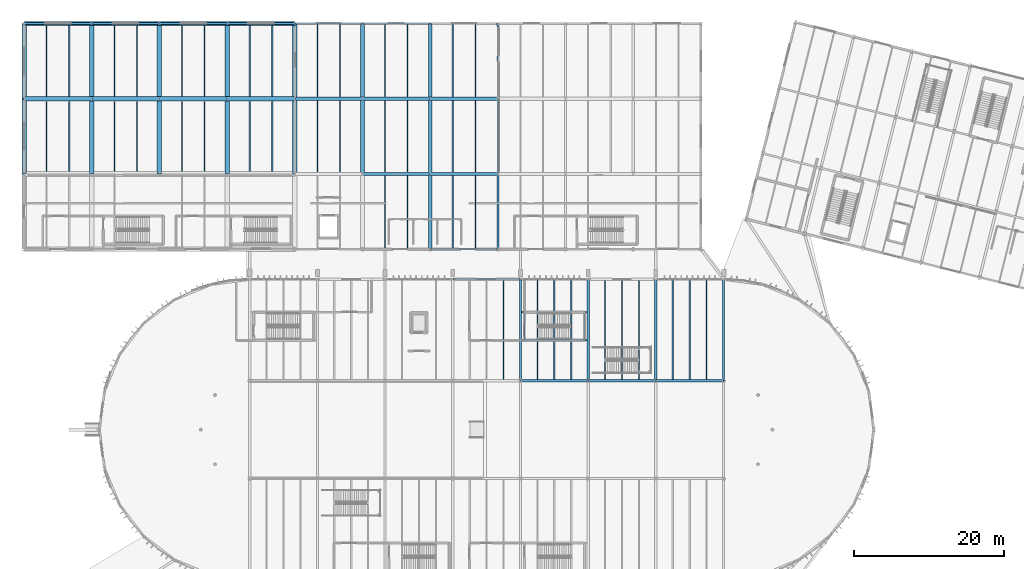
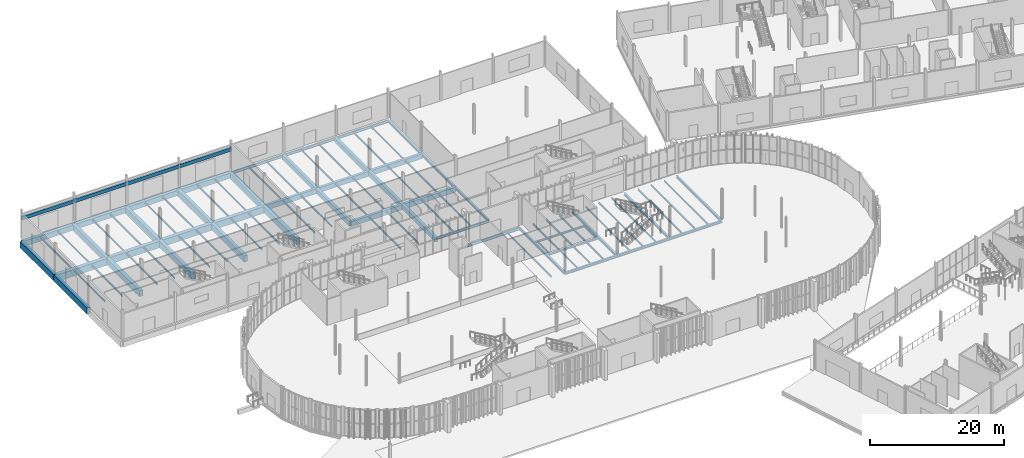
# One storey, part 65 of 158: 93 beams.
"""IFC4 building model written with IfcOpenShell, lengths in metres."""

import ifcopenshell
import ifcopenshell.guid

model = None  # the IFC model being written
_history = None  # IfcOwnerHistory: only IFC2X3 demands one
_inside = {}  # id of a spatial element -> (the spatial element, [elements in it])
_under = {}  # id of a project, library or spatial element -> (it, [spatial elements below it])
_declared = {}  # id of a project -> (the project, [libraries it declares])
_typed = {}  # id of a type object -> (the type object, [elements of that type])
_made_of = {}  # id of a material, layer set ... -> (it, [elements and type objects made of it])


def new_model(schema):
    """Start an empty IFC model of exactly this schema.

    Asked for "IFC4X3", IfcOpenShell would pick the latest addendum, in which some entities
    have other attributes; the version numbers below select the first issue.
    IFC2X3 requires an IfcOwnerHistory on every rooted entity: one is made here for all.
    """
    global model, _history
    if schema == "IFC4X3":
        model = ifcopenshell.file(schema_version=(4, 3, 0, 0))
    else:
        model = ifcopenshell.file(schema=schema)
    _inside.clear()
    _under.clear()
    _declared.clear()
    _typed.clear()
    _made_of.clear()
    _history = None
    if model.schema == "IFC2X3":
        org = make("IfcOrganization", Name="unknown")
        user = make(
            "IfcPersonAndOrganization",
            ThePerson=make("IfcPerson", FamilyName="unknown"),
            TheOrganization=org,
        )
        app = make(
            "IfcApplication",
            ApplicationDeveloper=org,
            Version="unknown",
            ApplicationFullName="unknown",
            ApplicationIdentifier="unknown",
        )
        _history = make(
            "IfcOwnerHistory",
            OwningUser=user,
            OwningApplication=app,
            ChangeAction="ADDED",
            CreationDate=0,
        )
    return model


def make(cls, **values):
    """One entity of the class cls with the attributes given. An attribute that is None is left unset."""
    return model.create_entity(
        cls, **{name: value for name, value in values.items() if value is not None}
    )


def rooted(cls, **values):
    """An entity with a GlobalId (a new one), such as an element, a storey or a relation."""
    return make(cls, GlobalId=ifcopenshell.guid.new(), OwnerHistory=_history, **values)


def si_unit(unit_type, name, prefix=None):
    """IfcSIUnit, for example si_unit("LENGTHUNIT", "METRE", prefix="MILLI")."""
    return make("IfcSIUnit", UnitType=unit_type, Prefix=prefix, Name=name)


def derived_unit(unit_type, elements):
    """IfcDerivedUnit: a product of units, each with its exponent."""
    return make(
        "IfcDerivedUnit",
        Elements=[
            make("IfcDerivedUnitElement", Unit=unit, Exponent=power)
            for unit, power in elements
        ],
        UnitType=unit_type,
    )


def assignment(units):
    """IfcUnitAssignment: the units of a project."""
    return None if units is None else make("IfcUnitAssignment", Units=units)


def point(xyz):
    """IfcCartesianPoint."""
    return None if xyz is None else make("IfcCartesianPoint", Coordinates=xyz)


def direction(xyz):
    """IfcDirection."""
    return None if xyz is None else make("IfcDirection", DirectionRatios=xyz)


def frame(location, z_axis=None, x_axis=None):
    """IfcAxis2Placement3D, a coordinate frame: its origin and axes. An axis left out is left unset."""
    return make(
        "IfcAxis2Placement3D",
        Location=point(location),
        Axis=direction(z_axis),
        RefDirection=direction(x_axis),
    )


def frame_2d(location, x_axis=None):
    """IfcAxis2Placement2D, a coordinate frame in the plane: its origin and x axis."""
    return make(
        "IfcAxis2Placement2D", Location=point(location), RefDirection=direction(x_axis)
    )


def origin():
    """The frame at (0, 0, 0) with its axes left unset."""
    return frame((0.0, 0.0, 0.0))


def origin_2d():
    """The frame at (0, 0) in the plane with its x axis left unset."""
    return frame_2d((0.0, 0.0))


def place(relative_to, where):
    """IfcLocalPlacement: puts the frame where relative to a parent placement (None: the world)."""
    return make(
        "IfcLocalPlacement", PlacementRelTo=relative_to, RelativePlacement=where
    )


def context(
    kind, dimensions, precision=None, world=None, true_north=None, identifier=None
):
    """IfcGeometricRepresentationContext, for example the 3D "Model" context."""
    return make(
        "IfcGeometricRepresentationContext",
        ContextIdentifier=identifier,
        ContextType=kind,
        CoordinateSpaceDimension=dimensions,
        Precision=precision,
        WorldCoordinateSystem=world,
        TrueNorth=true_north,
    )


def subcontext(parent, identifier, kind, view, scale=None):
    """IfcGeometricRepresentationSubContext, for example "Body" below "Model"."""
    return make(
        "IfcGeometricRepresentationSubContext",
        ContextIdentifier=identifier,
        ContextType=kind,
        ParentContext=parent,
        TargetScale=scale,
        TargetView=view,
    )


def project(units=None, contexts=None):
    """IfcProject with its units and contexts."""
    return rooted(
        "IfcProject",
        Name="project",
        RepresentationContexts=contexts,
        UnitsInContext=assignment(units),
    )


def spatial(cls, under=None, at=None, **own):
    """A site, building, storey or space (cls), placed at a placement, below another one or the project."""
    s = rooted(cls, ObjectPlacement=at, **own)
    if under is not None:
        _under.setdefault(under.id(), (under, []))[1].append(s)
    return s


def profile(cls, at=None, kind="AREA", **sizes):
    """A parametric profile (cls). Its sizes go by their IFC names, for example OverallWidth=200.0."""
    return make(cls, ProfileType=kind, Position=at, **sizes)


def rectangle(**sizes):
    """IfcRectangleProfileDef."""
    return profile("IfcRectangleProfileDef", **sizes)


def i_section(**sizes):
    """IfcIShapeProfileDef."""
    return profile("IfcIShapeProfileDef", **sizes)


def extrude(swept, where, along, depth):
    """IfcExtrudedAreaSolid: the profile swept, set in the frame where, extruded along a direction by depth."""
    return make(
        "IfcExtrudedAreaSolid",
        SweptArea=swept,
        Position=where,
        ExtrudedDirection=direction(along),
        Depth=depth,
    )


def shape(context_of_items, identifier, shape_type, items):
    """IfcShapeRepresentation: the items that make up one representation, for example the "Body"."""
    return make(
        "IfcShapeRepresentation",
        ContextOfItems=context_of_items,
        RepresentationIdentifier=identifier,
        RepresentationType=shape_type,
        Items=items,
    )


def material(Name=None, Category=None):
    """IfcMaterial."""
    return make("IfcMaterial", Name=Name, Category=Category)


def material_profile(
    of_material, cross_section, Name=None, Category=None, Priority=None
):
    """IfcMaterialProfile: a cross section and its material."""
    return make(
        "IfcMaterialProfile",
        Name=Name,
        Material=of_material,
        Profile=cross_section,
        Priority=Priority,
        Category=Category,
    )


def profile_set(profiles, Name=None, composite=None):
    """IfcMaterialProfileSet."""
    return make(
        "IfcMaterialProfileSet",
        Name=Name,
        MaterialProfiles=profiles,
        CompositeProfile=composite,
    )


def made_of(thing, what):
    """Note that an element or type object is made of a material, layer set ...; save() writes the relation."""
    if what is not None:
        _made_of.setdefault(what.id(), (what, []))[1].append(thing)
    return thing


def type_object(cls, material=None, **own):
    """A type object (cls), such as IfcWallType, which elements share."""
    return made_of(rooted(cls, **own), material)


def element(
    cls,
    number,
    at=None,
    inside=None,
    cuts=None,
    type_object=None,
    material=None,
    context=None,
    identifier="Body",
    shape_type=None,
    held_by="IfcProductDefinitionShape",
    body=None,
    shapes=None,
    **own,
):
    """One element of the class cls, such as IfcWall. Its Tag is "e" and its number.

    at: its placement. inside: the storey or other place that contains it. cuts: it is an
    opening in that element (IfcRelVoidsElement). A single representation is given by context,
    identifier, shape_type and body (its items); several are given by shapes. held_by: the class
    of the entity that holds the representations. save() writes the other relations.
    """
    e = rooted(cls, Tag="e%d" % number, ObjectPlacement=at, **own)
    if body is not None:
        shapes = [shape(context, identifier, shape_type, body)]
    if shapes is not None:
        e.Representation = make(held_by, Representations=shapes)
    if inside is not None:
        _inside.setdefault(inside.id(), (inside, []))[1].append(e)
    if cuts is not None:
        rooted(
            "IfcRelVoidsElement", RelatingBuildingElement=cuts, RelatedOpeningElement=e
        )
    if type_object is not None:
        _typed.setdefault(type_object.id(), (type_object, []))[1].append(e)
    return made_of(e, material)


def aggregate(whole, parts):
    """IfcRelAggregates: a whole, such as a stair, and the parts it consists of."""
    return rooted("IfcRelAggregates", RelatingObject=whole, RelatedObjects=parts)


def save(model, path):
    """Write the relations noted so far, then the file.

    IfcRelAggregates (storeys below a building ...), IfcRelContainedInSpatialStructure (elements
    in a storey), IfcRelDefinesByType, IfcRelAssociatesMaterial and IfcRelDeclares: one each for
    every whole, place, type object, material and project.
    """
    for whole, parts in _under.values():
        aggregate(whole, parts)
    for where, things in _inside.values():
        rooted(
            "IfcRelContainedInSpatialStructure",
            RelatedElements=things,
            RelatingStructure=where,
        )
    for kind, things in _typed.values():
        rooted("IfcRelDefinesByType", RelatedObjects=things, RelatingType=kind)
    for what, things in _made_of.values():
        rooted("IfcRelAssociatesMaterial", RelatedObjects=things, RelatingMaterial=what)
    for by, libraries in _declared.values():
        rooted("IfcRelDeclares", RelatingContext=by, RelatedDefinitions=libraries)
    model.write(path)


model = new_model("IFC4")

# Units and contexts
model_context = context("Model", 3, precision=1e-05, world=origin(), true_north=direction((0.0, 1.0)))
body_context = subcontext(model_context, "Body", "Model", "MODEL_VIEW")
ifc_project = project(units=[si_unit("LENGTHUNIT", "METRE"), si_unit("AREAUNIT", "SQUARE_METRE"), si_unit("VOLUMEUNIT", "CUBIC_METRE"), si_unit("PLANEANGLEUNIT", "RADIAN"), si_unit("MASSUNIT", "GRAM", prefix="KILO"), si_unit("THERMODYNAMICTEMPERATUREUNIT", "KELVIN"), si_unit("TIMEUNIT", "SECOND"), derived_unit("THERMALTRANSMITTANCEUNIT", [(si_unit("MASSUNIT", "GRAM", prefix="KILO"), 1), (si_unit("THERMODYNAMICTEMPERATUREUNIT", "KELVIN"), -1), (si_unit("TIMEUNIT", "SECOND"), -3)])], contexts=[model_context])

# Site, building, storey
site_placement = place(None, origin())
site = spatial("IfcSite", under=ifc_project, at=site_placement, CompositionType="ELEMENT")
building_placement = place(site_placement, origin())
building = spatial("IfcBuilding", under=site, at=building_placement, Name="Cambertide Market Hall", CompositionType="ELEMENT")
storey_placement = place(building_placement, origin())
storey = spatial("IfcBuildingStorey", under=building, at=storey_placement, Name="L01", CompositionType="ELEMENT", Elevation=0.0)

# Beams
ifc_material_1 = material(Name="Concrete B35", Category="concrete")
ifc_material_profile_1 = material_profile(ifc_material_1, rectangle(XDim=0.449951171875, YDim=0.89990234375, at=origin_2d()), Name="RC 450x900")
ifc_profile_set_1 = profile_set([ifc_material_profile_1], Name="Concrete B35")
beam_type_1 = type_object("IfcBeamType", Name="Concrete Girder RC 450x900", PredefinedType="BEAM", material=ifc_profile_set_1)
for number, where, z_axis, x_axis, name in (
    (1, (48.0, 116.0, -0.81005859375), (1.0, 0.0, 0.0), (0.0, 1.0, 0.0), "Level 1 Beam BM-V2X-L01-5-3"),
    (2, (57.0, 106.0, -0.81005859375), (1.0, 0.0, 0.0), (0.0, 1.0, 0.0), "Level 1 Beam BM-V2X-L01-6-2"),
    (3, (57.0, 116.0, -0.81005859375), (1.0, 0.0, 0.0), (0.0, 1.0, 0.0), "Level 1 Beam BM-V2X-L01-6-3"),
    (4, (66.0, 106.0, -0.81005859375), (1.0, 0.0, 0.0), (0.0, 1.0, 0.0), "Level 1 Beam BM-V2X-L01-7-2"),
    (5, (66.0, 116.0, -0.81005859375), (1.0, 0.0, 0.0), (0.0, 1.0, 0.0), "Level 1 Beam BM-V2X-L01-7-3"),
):
    element("IfcBeam", number, at=place(storey_placement, frame(where, z_axis=z_axis, x_axis=x_axis)), inside=storey, type_object=beam_type_1, Name=name, PredefinedType="BEAM", context=body_context, shape_type="SweptSolid", body=[
        extrude(rectangle(XDim=0.449951171875, YDim=0.89990234375, at=origin_2d()), origin(), (0.0, 0.0, 1.0), 9.0),
    ])
ifc_material_2 = material(Name="Concrete B35", Category="concrete")
ifc_material_profile_2 = material_profile(ifc_material_2, rectangle(XDim=0.5, YDim=0.85009765625, at=origin_2d()), Name="RC 500x850")
ifc_profile_set_2 = profile_set([ifc_material_profile_2], Name="Concrete B35")
beam_type_2 = type_object("IfcBeamType", Name="Concrete Girder RC 500x850", PredefinedType="BEAM", material=ifc_profile_set_2)
for number, where, z_axis, x_axis, name in (
    (6, (57.0, 106.0, -0.784912109375), (0.0, 1.0, 0.0), (-1.0, 0.0, 0.0), "Level 1 Beam BM-V2Y-L01-6-2"),
    (7, (57.0, 116.0, -0.784912109375), (0.0, 1.0, 0.0), (-1.0, 0.0, 0.0), "Level 1 Beam BM-V2Y-L01-6-3"),
    (8, (66.0, 96.0, -0.784912109375), (0.0, 1.0, 0.0), (-1.0, 0.0, 0.0), "Level 1 Beam BM-V2Y-L01-7-1"),
    (9, (66.0, 106.0, -0.784912109375), (0.0, 1.0, 0.0), (-1.0, 0.0, 0.0), "Level 1 Beam BM-V2Y-L01-7-2"),
    (10, (66.0, 116.0, -0.784912109375), (0.0, 1.0, 0.0), (-1.0, 0.0, 0.0), "Level 1 Beam BM-V2Y-L01-7-3"),
):
    element("IfcBeam", number, at=place(storey_placement, frame(where, z_axis=z_axis, x_axis=x_axis)), inside=storey, type_object=beam_type_2, Name=name, PredefinedType="BEAM", context=body_context, shape_type="SweptSolid", body=[
        extrude(rectangle(XDim=0.5, YDim=0.85009765625, at=origin_2d()), origin(), (0.0, 0.0, 1.0), 10.0),
    ])
ifc_material_3 = material(Name="Concrete B35", Category="concrete")
ifc_material_profile_3 = material_profile(ifc_material_3, rectangle(XDim=0.550048828125, YDim=0.949951171875, at=origin_2d()), Name="RC 550x950")
ifc_profile_set_3 = profile_set([ifc_material_profile_3], Name="Concrete B35")
beam_type_3 = type_object("IfcBeamType", Name="Concrete T-Beam RC 550x950", PredefinedType="T_BEAM", material=ifc_profile_set_3)
for number, where, z_axis, x_axis, name in (
    (11, (12.0, 126.0, -0.8349609375), (1.0, 0.0, 0.0), (0.0, 1.0, 0.0), "Level 1 T_Beam BM-V2X-L01-1-4"),
    (12, (21.0, 126.0, -0.8349609375), (1.0, 0.0, 0.0), (0.0, 1.0, 0.0), "Level 1 T_Beam BM-V2X-L01-2-4"),
    (13, (30.0, 126.0, -0.8349609375), (1.0, 0.0, 0.0), (0.0, 1.0, 0.0), "Level 1 T_Beam BM-V2X-L01-3-4"),
    (14, (39.0, 126.0, -0.8349609375), (1.0, 0.0, 0.0), (0.0, 1.0, 0.0), "Level 1 T_Beam BM-V2X-L01-4-4"),
):
    element("IfcBeam", number, at=place(storey_placement, frame(where, z_axis=z_axis, x_axis=x_axis)), inside=storey, type_object=beam_type_3, Name=name, PredefinedType="T_BEAM", context=body_context, shape_type="SweptSolid", body=[
        extrude(rectangle(XDim=0.550048828125, YDim=0.949951171875, at=origin_2d()), origin(), (0.0, 0.0, 1.0), 9.0),
    ])
ifc_material_4 = material(Name="Concrete B35", Category="concrete")
ifc_material_profile_4 = material_profile(ifc_material_4, rectangle(XDim=0.60009765625, YDim=1.10009765625, at=origin_2d()), Name="RC 600x1100")
ifc_profile_set_4 = profile_set([ifc_material_profile_4], Name="Concrete B35")
beam_type_4 = type_object("IfcBeamType", Name="Concrete T-Beam RC 600x1100", PredefinedType="T_BEAM", material=ifc_profile_set_4)
for number, where, z_axis, x_axis, name in (
    (15, (12.0, 106.0, -0.909912109375), (0.0, 1.0, 0.0), (-1.0, 0.0, 0.0), "Level 1 T_Beam BM-V2Y-L01-1-2"),
    (16, (12.0, 116.0, -0.909912109375), (0.0, 1.0, 0.0), (-1.0, 0.0, 0.0), "Level 1 T_Beam BM-V2Y-L01-1-3"),
    (17, (21.0, 106.0, -0.909912109375), (0.0, 1.0, 0.0), (-1.0, 0.0, 0.0), "Level 1 T_Beam BM-V2Y-L01-2-2"),
    (18, (21.0, 116.0, -0.909912109375), (0.0, 1.0, 0.0), (-1.0, 0.0, 0.0), "Level 1 T_Beam BM-V2Y-L01-2-3"),
    (19, (30.0, 106.0, -0.909912109375), (0.0, 1.0, 0.0), (-1.0, 0.0, 0.0), "Level 1 T_Beam BM-V2Y-L01-3-2"),
    (20, (30.0, 116.0, -0.909912109375), (0.0, 1.0, 0.0), (-1.0, 0.0, 0.0), "Level 1 T_Beam BM-V2Y-L01-3-3"),
    (21, (39.0, 106.0, -0.909912109375), (0.0, 1.0, 0.0), (-1.0, 0.0, 0.0), "Level 1 T_Beam BM-V2Y-L01-4-2"),
    (22, (39.0, 116.0, -0.909912109375), (0.0, 1.0, 0.0), (-1.0, 0.0, 0.0), "Level 1 T_Beam BM-V2Y-L01-4-3"),
    (23, (48.0, 106.0, -0.909912109375), (0.0, 1.0, 0.0), (-1.0, 0.0, 0.0), "Level 1 T_Beam BM-V2Y-L01-5-2"),
    (24, (48.0, 116.0, -0.909912109375), (0.0, 1.0, 0.0), (-1.0, 0.0, 0.0), "Level 1 T_Beam BM-V2Y-L01-5-3"),
):
    element("IfcBeam", number, at=place(storey_placement, frame(where, z_axis=z_axis, x_axis=x_axis)), inside=storey, type_object=beam_type_4, Name=name, PredefinedType="T_BEAM", context=body_context, shape_type="SweptSolid", body=[
        extrude(rectangle(XDim=0.60009765625, YDim=1.10009765625, at=origin_2d()), origin(), (0.0, 0.0, 1.0), 10.0),
    ])
ifc_material_5 = material(Name="Concrete B35", Category="concrete")
ifc_material_profile_5 = material_profile(ifc_material_5, rectangle(XDim=0.64990234375, YDim=1.199951171875, at=origin_2d()), Name="RC 650x1200")
ifc_profile_set_5 = profile_set([ifc_material_profile_5], Name="Concrete B35")
beam_type_5 = type_object("IfcBeamType", Name="Concrete T-Beam RC 650x1200", PredefinedType="T_BEAM", material=ifc_profile_set_5)
for number, where, z_axis, x_axis, name in (
    (25, (12.0, 116.0, -0.9599609375), (1.0, 0.0, 0.0), (0.0, 1.0, 0.0), "Level 1 T_Beam BM-V2X-L01-1-3"),
    (26, (21.0, 116.0, -0.9599609375), (1.0, 0.0, 0.0), (0.0, 1.0, 0.0), "Level 1 T_Beam BM-V2X-L01-2-3"),
    (27, (30.0, 116.0, -0.9599609375), (1.0, 0.0, 0.0), (0.0, 1.0, 0.0), "Level 1 T_Beam BM-V2X-L01-3-3"),
    (28, (39.0, 116.0, -0.9599609375), (1.0, 0.0, 0.0), (0.0, 1.0, 0.0), "Level 1 T_Beam BM-V2X-L01-4-3"),
):
    element("IfcBeam", number, at=place(storey_placement, frame(where, z_axis=z_axis, x_axis=x_axis)), inside=storey, type_object=beam_type_5, Name=name, PredefinedType="T_BEAM", context=body_context, shape_type="SweptSolid", body=[
        extrude(rectangle(XDim=0.64990234375, YDim=1.199951171875, at=origin_2d()), origin(), (0.0, 0.0, 1.0), 9.0),
    ])
ifc_material_6 = material(Name="Precast concrete B35", Category="concrete")
ifc_material_profile_6 = material_profile(ifc_material_6, rectangle(XDim=0.300048828125, YDim=0.64990234375, at=origin_2d()), Name="RC 300x650")
ifc_profile_set_6 = profile_set([ifc_material_profile_6], Name="Precast concrete B35")
beam_type_6 = type_object("IfcBeamType", Name="Exterior Structural Lintel RC 300x650", PredefinedType="LINTEL", material=ifc_profile_set_6)
for number, where, z_axis, x_axis, name in (
    (29, (12.0, 126.0, 3.800048828125), (1.0, 0.0, 0.0), (0.0, 1.0, 0.0), "Level 1 Loading Bay Lintel 1"),
    (30, (21.0, 126.0, 3.800048828125), (1.0, 0.0, 0.0), (0.0, 1.0, 0.0), "Level 1 Loading Bay Lintel 2"),
    (31, (30.0, 126.0, 3.800048828125), (1.0, 0.0, 0.0), (0.0, 1.0, 0.0), "Level 1 Loading Bay Lintel 3"),
    (32, (39.0, 126.0, 3.800048828125), (1.0, 0.0, 0.0), (0.0, 1.0, 0.0), "Level 1 Loading Bay Lintel 4"),
):
    element("IfcBeam", number, at=place(storey_placement, frame(where, z_axis=z_axis, x_axis=x_axis)), inside=storey, type_object=beam_type_6, Name=name, PredefinedType="LINTEL", context=body_context, shape_type="SweptSolid", body=[
        extrude(rectangle(XDim=0.300048828125, YDim=0.64990234375, at=origin_2d()), origin(), (0.0, 0.0, 1.0), 9.0),
    ])
ifc_material_7 = material(Name="Steel S355", Category="steel")
ifc_material_profile_7 = material_profile(ifc_material_7, i_section(OverallWidth=0.300048828125, OverallDepth=0.39990234375, WebThickness=0.013427734375, FlangeThickness=0.02392578125, FilletRadius=0.027099609375, at=origin_2d()), Name="HEB 400")
ifc_profile_set_7 = profile_set([ifc_material_profile_7], Name="Steel S355")
beam_type_7 = type_object("IfcBeamType", Name="Steel Girder HEB 400", PredefinedType="BEAM", material=ifc_profile_set_7)
for number, where, z_axis, x_axis, name in (
    (33, (75.0, 96.0, -0.56005859375), (0.0, 1.0, 0.0), (-1.0, 0.0, 0.0), "Level 1 Beam BM-V2Y-L01-8-1"),
    (34, (75.0, 106.0, -0.56005859375), (0.0, 1.0, 0.0), (-1.0, 0.0, 0.0), "Level 1 Beam BM-V2Y-L01-8-2"),
    (35, (75.0, 116.0, -0.56005859375), (0.0, 1.0, 0.0), (-1.0, 0.0, 0.0), "Level 1 Beam BM-V2Y-L01-8-3"),
):
    element("IfcBeam", number, at=place(storey_placement, frame(where, z_axis=z_axis, x_axis=x_axis)), inside=storey, type_object=beam_type_7, Name=name, PredefinedType="BEAM", context=body_context, shape_type="SweptSolid", body=[
        extrude(i_section(OverallWidth=0.300048828125, OverallDepth=0.39990234375, WebThickness=0.013427734375, FlangeThickness=0.02392578125, FilletRadius=0.027099609375, at=origin_2d()), origin(), (0.0, 0.0, 1.0), 10.0),
    ])
ifc_material_8 = material(Name="Steel S355", Category="steel")
ifc_material_profile_8 = material_profile(ifc_material_8, i_section(OverallWidth=0.300048828125, OverallDepth=0.449951171875, WebThickness=0.013916015625, FlangeThickness=0.02587890625, FilletRadius=0.027099609375, at=origin_2d()), Name="HEB 450")
ifc_profile_set_8 = profile_set([ifc_material_profile_8], Name="Steel S355")
beam_type_8 = type_object("IfcBeamType", Name="Steel Girder HEB 450", PredefinedType="BEAM", material=ifc_profile_set_8)
for number, where, z_axis, x_axis, name in (
    (36, (78.0, 78.5, -0.534912109375), (1.0, 0.0, 0.0), (0.0, 1.0, 0.0), "Level 1 Beam BM-V1MN-L01-5"),
    (37, (87.0, 78.5, -0.534912109375), (1.0, 0.0, 0.0), (0.0, 1.0, 0.0), "Level 1 Beam BM-V1MN-L01-6"),
    (38, (96.0, 78.5, -0.534912109375), (1.0, 0.0, 0.0), (0.0, 1.0, 0.0), "Level 1 Beam BM-V1MN-L01-7"),
):
    element("IfcBeam", number, at=place(storey_placement, frame(where, z_axis=z_axis, x_axis=x_axis)), inside=storey, type_object=beam_type_8, Name=name, PredefinedType="BEAM", context=body_context, shape_type="SweptSolid", body=[
        extrude(i_section(OverallWidth=0.300048828125, OverallDepth=0.449951171875, WebThickness=0.013916015625, FlangeThickness=0.02587890625, FilletRadius=0.027099609375, at=origin_2d()), origin(), (0.0, 0.0, 1.0), 9.0),
    ])
for number, where, z_axis, x_axis, name in (
    (39, (78.0, 78.5, -0.534912109375), (0.0, 1.0, 0.0), (-1.0, 0.0, 0.0), "Level 1 Beam BM-V1TN-L01-5"),
    (40, (87.0, 78.5, -0.534912109375), (0.0, 1.0, 0.0), (-1.0, 0.0, 0.0), "Level 1 Beam BM-V1TN-L01-6"),
    (41, (96.0, 78.5, -0.534912109375), (0.0, 1.0, 0.0), (-1.0, 0.0, 0.0), "Level 1 Beam BM-V1TN-L01-7"),
    (42, (105.0, 78.5, -0.534912109375), (0.0, 1.0, 0.0), (-1.0, 0.0, 0.0), "Level 1 Beam BM-V1TN-L01-8"),
):
    element("IfcBeam", number, at=place(storey_placement, frame(where, z_axis=z_axis, x_axis=x_axis)), inside=storey, type_object=beam_type_8, Name=name, PredefinedType="BEAM", context=body_context, shape_type="SweptSolid", body=[
        extrude(i_section(OverallWidth=0.300048828125, OverallDepth=0.449951171875, WebThickness=0.013916015625, FlangeThickness=0.02587890625, FilletRadius=0.027099609375, at=origin_2d()), origin(), (0.0, 0.0, 1.0), 13.5),
    ])
ifc_material_9 = material(Name="Steel S355", Category="steel")
ifc_material_profile_9 = material_profile(ifc_material_9, i_section(OverallWidth=0.169921875, OverallDepth=0.360107421875, WebThickness=0.008056640625, FlangeThickness=0.0126953125, FilletRadius=0.01806640625, at=origin_2d()), Name="IPE 360")
ifc_profile_set_9 = profile_set([ifc_material_profile_9], Name="Steel S355")
beam_type_9 = type_object("IfcBeamType", Name="Steel Girder IPE 360", PredefinedType="BEAM", material=ifc_profile_set_9)
for number, where, z_axis, x_axis, name in (
    (43, (78.157958984375, 83.875, -0.489990234375), (1.0, 0.0, 0.0), (0.0, 1.0, 0.0), "Level 1 Beam BM-ST01B-SHWL"),
    (44, (78.157958984375, 87.625, -0.489990234375), (1.0, 0.0, 0.0), (0.0, 1.0, 0.0), "Level 1 Beam BM-ST01B-SHWR"),
):
    element("IfcBeam", number, at=place(storey_placement, frame(where, z_axis=z_axis, x_axis=x_axis)), inside=storey, type_object=beam_type_9, Name=name, PredefinedType="BEAM", context=body_context, shape_type="SweptSolid", body=[
        extrude(i_section(OverallWidth=0.169921875, OverallDepth=0.360107421875, WebThickness=0.008056640625, FlangeThickness=0.0126953125, FilletRadius=0.01806640625, at=origin_2d()), origin(), (0.0, 0.0, 1.0), 8.68408203125),
    ])
ifc_material_10 = material(Name="Steel S355", Category="steel")
ifc_material_profile_10 = material_profile(ifc_material_10, i_section(OverallWidth=0.199951171875, OverallDepth=0.5, WebThickness=0.01025390625, FlangeThickness=0.01611328125, FilletRadius=0.02099609375, at=origin_2d()), Name="IPE 500")
ifc_profile_set_10 = profile_set([ifc_material_profile_10], Name="Steel S355")
beam_type_10 = type_object("IfcBeamType", Name="Steel Girder IPE 500", PredefinedType="BEAM", material=ifc_profile_set_10)
for number, where, z_axis, x_axis, name in (
    (45, (69.0, 92.0, -0.56005859375), (1.0, 0.0, 0.0), (0.0, 1.0, 0.0), "Level 1 Beam BM-V1N-L01-4"),
    (46, (48.0, 126.0, -0.610107421875), (1.0, 0.0, 0.0), (0.0, 1.0, 0.0), "Level 1 Beam BM-V2X-L01-5-4"),
    (47, (57.0, 126.0, -0.610107421875), (1.0, 0.0, 0.0), (0.0, 1.0, 0.0), "Level 1 Beam BM-V2X-L01-6-4"),
    (48, (66.0, 96.0, -0.610107421875), (1.0, 0.0, 0.0), (0.0, 1.0, 0.0), "Level 1 Beam BM-V2X-L01-7-1"),
    (49, (66.0, 126.0, -0.610107421875), (1.0, 0.0, 0.0), (0.0, 1.0, 0.0), "Level 1 Beam BM-V2X-L01-7-4"),
):
    element("IfcBeam", number, at=place(storey_placement, frame(where, z_axis=z_axis, x_axis=x_axis)), inside=storey, type_object=beam_type_10, Name=name, PredefinedType="BEAM", context=body_context, shape_type="SweptSolid", body=[
        extrude(i_section(OverallWidth=0.199951171875, OverallDepth=0.5, WebThickness=0.01025390625, FlangeThickness=0.01611328125, FilletRadius=0.02099609375, at=origin_2d()), origin(), (0.0, 0.0, 1.0), 9.0),
    ])
ifc_material_11 = material(Name="Steel S275", Category="steel")
ifc_material_profile_11 = material_profile(ifc_material_11, i_section(OverallWidth=0.14990234375, OverallDepth=0.300048828125, WebThickness=0.007080078125, FlangeThickness=0.0107421875, FilletRadius=0.014892578125, at=origin_2d()), Name="IPE 300")
ifc_profile_set_11 = profile_set([ifc_material_profile_11], Name="Steel S275")
beam_type_11 = type_object("IfcBeamType", Name="Steel Secondary Joist IPE 300", PredefinedType="JOIST", material=ifc_profile_set_11)
for number, where, z_axis, x_axis, name in (
    (50, (75.75, 78.657958984375, -0.4599609375), (0.0, 1.0, 0.0), (-1.0, 0.0, 0.0), "Level 1 Joist JS-V1N-L01-4-3"),
    (51, (80.25, 78.657958984375, -0.4599609375), (0.0, 1.0, 0.0), (-1.0, 0.0, 0.0), "Level 1 Joist JS-V1N-L01-5-1"),
    (52, (82.5, 78.657958984375, -0.4599609375), (0.0, 1.0, 0.0), (-1.0, 0.0, 0.0), "Level 1 Joist JS-V1N-L01-5-2"),
    (53, (84.75, 78.657958984375, -0.4599609375), (0.0, 1.0, 0.0), (-1.0, 0.0, 0.0), "Level 1 Joist JS-V1N-L01-5-3"),
    (54, (89.25, 78.657958984375, -0.4599609375), (0.0, 1.0, 0.0), (-1.0, 0.0, 0.0), "Level 1 Joist JS-V1N-L01-6-1"),
    (55, (91.5, 78.657958984375, -0.4599609375), (0.0, 1.0, 0.0), (-1.0, 0.0, 0.0), "Level 1 Joist JS-V1N-L01-6-2"),
    (56, (93.75, 78.657958984375, -0.4599609375), (0.0, 1.0, 0.0), (-1.0, 0.0, 0.0), "Level 1 Joist JS-V1N-L01-6-3"),
):
    element("IfcBeam", number, at=place(storey_placement, frame(where, z_axis=z_axis, x_axis=x_axis)), inside=storey, type_object=beam_type_11, Name=name, PredefinedType="JOIST", context=body_context, shape_type="SweptSolid", body=[
        extrude(i_section(OverallWidth=0.14990234375, OverallDepth=0.300048828125, WebThickness=0.007080078125, FlangeThickness=0.0107421875, FilletRadius=0.014892578125, at=origin_2d()), origin(), (0.0, 0.0, 1.0), 13.234130859375),
    ])
for number, where, z_axis, x_axis, name in (
    (57, (98.25, 78.657958984375, -0.4599609375), (0.0, 1.0, 0.0), (-1.0, 0.0, 0.0), "Level 1 Joist JS-V1N-L01-7-1"),
    (58, (100.5, 78.657958984375, -0.4599609375), (0.0, 1.0, 0.0), (-1.0, 0.0, 0.0), "Level 1 Joist JS-V1N-L01-7-2"),
    (59, (102.75, 78.657958984375, -0.4599609375), (0.0, 1.0, 0.0), (-1.0, 0.0, 0.0), "Level 1 Joist JS-V1N-L01-7-3"),
):
    element("IfcBeam", number, at=place(storey_placement, frame(where, z_axis=z_axis, x_axis=x_axis)), inside=storey, type_object=beam_type_11, Name=name, PredefinedType="JOIST", context=body_context, shape_type="SweptSolid", body=[
        extrude(i_section(OverallWidth=0.14990234375, OverallDepth=0.300048828125, WebThickness=0.007080078125, FlangeThickness=0.0107421875, FilletRadius=0.014892578125, at=origin_2d()), origin(), (0.0, 0.0, 1.0), 13.22412109375),
    ])
for number, where, z_axis, x_axis, name in (
    (60, (15.0, 106.3330078125, -0.510009765625), (0.0, 1.0, 0.0), (-1.0, 0.0, 0.0), "Level 1 Joist JS-V2-L01-1-2-1"),
    (61, (18.0, 106.3330078125, -0.510009765625), (0.0, 1.0, 0.0), (-1.0, 0.0, 0.0), "Level 1 Joist JS-V2-L01-1-2-2"),
):
    element("IfcBeam", number, at=place(storey_placement, frame(where, z_axis=z_axis, x_axis=x_axis)), inside=storey, type_object=beam_type_11, Name=name, PredefinedType="JOIST", context=body_context, shape_type="SweptSolid", body=[
        extrude(i_section(OverallWidth=0.14990234375, OverallDepth=0.300048828125, WebThickness=0.007080078125, FlangeThickness=0.0107421875, FilletRadius=0.014892578125, at=origin_2d()), origin(), (0.0, 0.0, 1.0), 9.333984375),
    ])
for number, where, z_axis, x_axis, name in (
    (62, (15.0, 116.3330078125, -0.510009765625), (0.0, 1.0, 0.0), (-1.0, 0.0, 0.0), "Level 1 Joist JS-V2-L01-1-3-1"),
    (63, (18.0, 116.3330078125, -0.510009765625), (0.0, 1.0, 0.0), (-1.0, 0.0, 0.0), "Level 1 Joist JS-V2-L01-1-3-2"),
):
    element("IfcBeam", number, at=place(storey_placement, frame(where, z_axis=z_axis, x_axis=x_axis)), inside=storey, type_object=beam_type_11, Name=name, PredefinedType="JOIST", context=body_context, shape_type="SweptSolid", body=[
        extrude(i_section(OverallWidth=0.14990234375, OverallDepth=0.300048828125, WebThickness=0.007080078125, FlangeThickness=0.0107421875, FilletRadius=0.014892578125, at=origin_2d()), origin(), (0.0, 0.0, 1.0), 9.384033203125),
    ])
for number, where, z_axis, x_axis, name in (
    (64, (24.0, 106.3330078125, -0.510009765625), (0.0, 1.0, 0.0), (-1.0, 0.0, 0.0), "Level 1 Joist JS-V2-L01-2-2-1"),
    (65, (27.0, 106.3330078125, -0.510009765625), (0.0, 1.0, 0.0), (-1.0, 0.0, 0.0), "Level 1 Joist JS-V2-L01-2-2-2"),
):
    element("IfcBeam", number, at=place(storey_placement, frame(where, z_axis=z_axis, x_axis=x_axis)), inside=storey, type_object=beam_type_11, Name=name, PredefinedType="JOIST", context=body_context, shape_type="SweptSolid", body=[
        extrude(i_section(OverallWidth=0.14990234375, OverallDepth=0.300048828125, WebThickness=0.007080078125, FlangeThickness=0.0107421875, FilletRadius=0.014892578125, at=origin_2d()), origin(), (0.0, 0.0, 1.0), 9.333984375),
    ])
for number, where, z_axis, x_axis, name in (
    (66, (24.0, 116.3330078125, -0.510009765625), (0.0, 1.0, 0.0), (-1.0, 0.0, 0.0), "Level 1 Joist JS-V2-L01-2-3-1"),
    (67, (27.0, 116.3330078125, -0.510009765625), (0.0, 1.0, 0.0), (-1.0, 0.0, 0.0), "Level 1 Joist JS-V2-L01-2-3-2"),
):
    element("IfcBeam", number, at=place(storey_placement, frame(where, z_axis=z_axis, x_axis=x_axis)), inside=storey, type_object=beam_type_11, Name=name, PredefinedType="JOIST", context=body_context, shape_type="SweptSolid", body=[
        extrude(i_section(OverallWidth=0.14990234375, OverallDepth=0.300048828125, WebThickness=0.007080078125, FlangeThickness=0.0107421875, FilletRadius=0.014892578125, at=origin_2d()), origin(), (0.0, 0.0, 1.0), 9.384033203125),
    ])
for number, where, z_axis, x_axis, name in (
    (68, (33.0, 106.3330078125, -0.510009765625), (0.0, 1.0, 0.0), (-1.0, 0.0, 0.0), "Level 1 Joist JS-V2-L01-3-2-1"),
    (69, (36.0, 106.3330078125, -0.510009765625), (0.0, 1.0, 0.0), (-1.0, 0.0, 0.0), "Level 1 Joist JS-V2-L01-3-2-2"),
):
    element("IfcBeam", number, at=place(storey_placement, frame(where, z_axis=z_axis, x_axis=x_axis)), inside=storey, type_object=beam_type_11, Name=name, PredefinedType="JOIST", context=body_context, shape_type="SweptSolid", body=[
        extrude(i_section(OverallWidth=0.14990234375, OverallDepth=0.300048828125, WebThickness=0.007080078125, FlangeThickness=0.0107421875, FilletRadius=0.014892578125, at=origin_2d()), origin(), (0.0, 0.0, 1.0), 9.333984375),
    ])
for number, where, z_axis, x_axis, name in (
    (70, (33.0, 116.3330078125, -0.510009765625), (0.0, 1.0, 0.0), (-1.0, 0.0, 0.0), "Level 1 Joist JS-V2-L01-3-3-1"),
    (71, (36.0, 116.3330078125, -0.510009765625), (0.0, 1.0, 0.0), (-1.0, 0.0, 0.0), "Level 1 Joist JS-V2-L01-3-3-2"),
):
    element("IfcBeam", number, at=place(storey_placement, frame(where, z_axis=z_axis, x_axis=x_axis)), inside=storey, type_object=beam_type_11, Name=name, PredefinedType="JOIST", context=body_context, shape_type="SweptSolid", body=[
        extrude(i_section(OverallWidth=0.14990234375, OverallDepth=0.300048828125, WebThickness=0.007080078125, FlangeThickness=0.0107421875, FilletRadius=0.014892578125, at=origin_2d()), origin(), (0.0, 0.0, 1.0), 9.384033203125),
    ])
for number, where, z_axis, x_axis, name in (
    (72, (42.0, 106.3330078125, -0.510009765625), (0.0, 1.0, 0.0), (-1.0, 0.0, 0.0), "Level 1 Joist JS-V2-L01-4-2-1"),
    (73, (45.0, 106.3330078125, -0.510009765625), (0.0, 1.0, 0.0), (-1.0, 0.0, 0.0), "Level 1 Joist JS-V2-L01-4-2-2"),
):
    element("IfcBeam", number, at=place(storey_placement, frame(where, z_axis=z_axis, x_axis=x_axis)), inside=storey, type_object=beam_type_11, Name=name, PredefinedType="JOIST", context=body_context, shape_type="SweptSolid", body=[
        extrude(i_section(OverallWidth=0.14990234375, OverallDepth=0.300048828125, WebThickness=0.007080078125, FlangeThickness=0.0107421875, FilletRadius=0.014892578125, at=origin_2d()), origin(), (0.0, 0.0, 1.0), 9.333984375),
    ])
for number, where, z_axis, x_axis, name in (
    (74, (42.0, 116.3330078125, -0.510009765625), (0.0, 1.0, 0.0), (-1.0, 0.0, 0.0), "Level 1 Joist JS-V2-L01-4-3-1"),
    (75, (45.0, 116.3330078125, -0.510009765625), (0.0, 1.0, 0.0), (-1.0, 0.0, 0.0), "Level 1 Joist JS-V2-L01-4-3-2"),
):
    element("IfcBeam", number, at=place(storey_placement, frame(where, z_axis=z_axis, x_axis=x_axis)), inside=storey, type_object=beam_type_11, Name=name, PredefinedType="JOIST", context=body_context, shape_type="SweptSolid", body=[
        extrude(i_section(OverallWidth=0.14990234375, OverallDepth=0.300048828125, WebThickness=0.007080078125, FlangeThickness=0.0107421875, FilletRadius=0.014892578125, at=origin_2d()), origin(), (0.0, 0.0, 1.0), 9.384033203125),
    ])
for number, where, z_axis, x_axis, name in (
    (76, (51.0, 106.23291015625, -0.510009765625), (0.0, 1.0, 0.0), (-1.0, 0.0, 0.0), "Level 1 Joist JS-V2-L01-5-2-1"),
    (77, (54.0, 106.23291015625, -0.510009765625), (0.0, 1.0, 0.0), (-1.0, 0.0, 0.0), "Level 1 Joist JS-V2-L01-5-2-2"),
):
    element("IfcBeam", number, at=place(storey_placement, frame(where, z_axis=z_axis, x_axis=x_axis)), inside=storey, type_object=beam_type_11, Name=name, PredefinedType="JOIST", context=body_context, shape_type="SweptSolid", body=[
        extrude(i_section(OverallWidth=0.14990234375, OverallDepth=0.300048828125, WebThickness=0.007080078125, FlangeThickness=0.0107421875, FilletRadius=0.014892578125, at=origin_2d()), origin(), (0.0, 0.0, 1.0), 9.5341796875),
    ])
for number, where, z_axis, x_axis, name in (
    (78, (51.0, 116.23291015625, -0.510009765625), (0.0, 1.0, 0.0), (-1.0, 0.0, 0.0), "Level 1 Joist JS-V2-L01-5-3-1"),
    (79, (54.0, 116.23291015625, -0.510009765625), (0.0, 1.0, 0.0), (-1.0, 0.0, 0.0), "Level 1 Joist JS-V2-L01-5-3-2"),
    (80, (60.0, 96.10791015625, -0.510009765625), (0.0, 1.0, 0.0), (-1.0, 0.0, 0.0), "Level 1 Joist JS-V2-L01-6-1-1"),
    (81, (63.0, 96.10791015625, -0.510009765625), (0.0, 1.0, 0.0), (-1.0, 0.0, 0.0), "Level 1 Joist JS-V2-L01-6-1-2"),
):
    element("IfcBeam", number, at=place(storey_placement, frame(where, z_axis=z_axis, x_axis=x_axis)), inside=storey, type_object=beam_type_11, Name=name, PredefinedType="JOIST", context=body_context, shape_type="SweptSolid", body=[
        extrude(i_section(OverallWidth=0.14990234375, OverallDepth=0.300048828125, WebThickness=0.007080078125, FlangeThickness=0.0107421875, FilletRadius=0.014892578125, at=origin_2d()), origin(), (0.0, 0.0, 1.0), 9.6591796875),
    ])
for number, where, z_axis, x_axis, name in (
    (82, (60.0, 106.23291015625, -0.510009765625), (0.0, 1.0, 0.0), (-1.0, 0.0, 0.0), "Level 1 Joist JS-V2-L01-6-2-1"),
    (83, (63.0, 106.23291015625, -0.510009765625), (0.0, 1.0, 0.0), (-1.0, 0.0, 0.0), "Level 1 Joist JS-V2-L01-6-2-2"),
):
    element("IfcBeam", number, at=place(storey_placement, frame(where, z_axis=z_axis, x_axis=x_axis)), inside=storey, type_object=beam_type_11, Name=name, PredefinedType="JOIST", context=body_context, shape_type="SweptSolid", body=[
        extrude(i_section(OverallWidth=0.14990234375, OverallDepth=0.300048828125, WebThickness=0.007080078125, FlangeThickness=0.0107421875, FilletRadius=0.014892578125, at=origin_2d()), origin(), (0.0, 0.0, 1.0), 9.5341796875),
    ])
for number, where, z_axis, x_axis, name in (
    (84, (60.0, 116.23291015625, -0.510009765625), (0.0, 1.0, 0.0), (-1.0, 0.0, 0.0), "Level 1 Joist JS-V2-L01-6-3-1"),
    (85, (63.0, 116.23291015625, -0.510009765625), (0.0, 1.0, 0.0), (-1.0, 0.0, 0.0), "Level 1 Joist JS-V2-L01-6-3-2"),
    (86, (69.0, 96.10791015625, -0.510009765625), (0.0, 1.0, 0.0), (-1.0, 0.0, 0.0), "Level 1 Joist JS-V2-L01-7-1-1"),
    (87, (72.0, 96.10791015625, -0.510009765625), (0.0, 1.0, 0.0), (-1.0, 0.0, 0.0), "Level 1 Joist JS-V2-L01-7-1-2"),
):
    element("IfcBeam", number, at=place(storey_placement, frame(where, z_axis=z_axis, x_axis=x_axis)), inside=storey, type_object=beam_type_11, Name=name, PredefinedType="JOIST", context=body_context, shape_type="SweptSolid", body=[
        extrude(i_section(OverallWidth=0.14990234375, OverallDepth=0.300048828125, WebThickness=0.007080078125, FlangeThickness=0.0107421875, FilletRadius=0.014892578125, at=origin_2d()), origin(), (0.0, 0.0, 1.0), 9.6591796875),
    ])
for number, where, z_axis, x_axis, name in (
    (88, (69.0, 106.23291015625, -0.510009765625), (0.0, 1.0, 0.0), (-1.0, 0.0, 0.0), "Level 1 Joist JS-V2-L01-7-2-1"),
    (89, (72.0, 106.23291015625, -0.510009765625), (0.0, 1.0, 0.0), (-1.0, 0.0, 0.0), "Level 1 Joist JS-V2-L01-7-2-2"),
):
    element("IfcBeam", number, at=place(storey_placement, frame(where, z_axis=z_axis, x_axis=x_axis)), inside=storey, type_object=beam_type_11, Name=name, PredefinedType="JOIST", context=body_context, shape_type="SweptSolid", body=[
        extrude(i_section(OverallWidth=0.14990234375, OverallDepth=0.300048828125, WebThickness=0.007080078125, FlangeThickness=0.0107421875, FilletRadius=0.014892578125, at=origin_2d()), origin(), (0.0, 0.0, 1.0), 9.5341796875),
    ])
for number, where, z_axis, x_axis, name in (
    (90, (69.0, 116.23291015625, -0.510009765625), (0.0, 1.0, 0.0), (-1.0, 0.0, 0.0), "Level 1 Joist JS-V2-L01-7-3-1"),
    (91, (72.0, 116.23291015625, -0.510009765625), (0.0, 1.0, 0.0), (-1.0, 0.0, 0.0), "Level 1 Joist JS-V2-L01-7-3-2"),
):
    element("IfcBeam", number, at=place(storey_placement, frame(where, z_axis=z_axis, x_axis=x_axis)), inside=storey, type_object=beam_type_11, Name=name, PredefinedType="JOIST", context=body_context, shape_type="SweptSolid", body=[
        extrude(i_section(OverallWidth=0.14990234375, OverallDepth=0.300048828125, WebThickness=0.007080078125, FlangeThickness=0.0107421875, FilletRadius=0.014892578125, at=origin_2d()), origin(), (0.0, 0.0, 1.0), 9.6591796875),
    ])
for number, where, z_axis, x_axis, name in (
    (92, (78.52490234375, 83.968017578125, -0.4599609375), (0.0, 1.0, 0.0), (-1.0, 0.0, 0.0), "Level 1 Joist BM-ST01B-SHWN"),
    (93, (86.52490234375, 83.968017578125, -0.4599609375), (0.0, 1.0, 0.0), (-1.0, 0.0, 0.0), "Level 1 Joist BM-ST01B-SHWF"),
):
    element("IfcBeam", number, at=place(storey_placement, frame(where, z_axis=z_axis, x_axis=x_axis)), inside=storey, type_object=beam_type_11, Name=name, PredefinedType="JOIST", context=body_context, shape_type="SweptSolid", body=[
        extrude(i_section(OverallWidth=0.14990234375, OverallDepth=0.300048828125, WebThickness=0.007080078125, FlangeThickness=0.0107421875, FilletRadius=0.014892578125, at=origin_2d()), origin(), (0.0, 0.0, 1.0), 3.56396484375),
    ])

save(model, "model.ifc")
